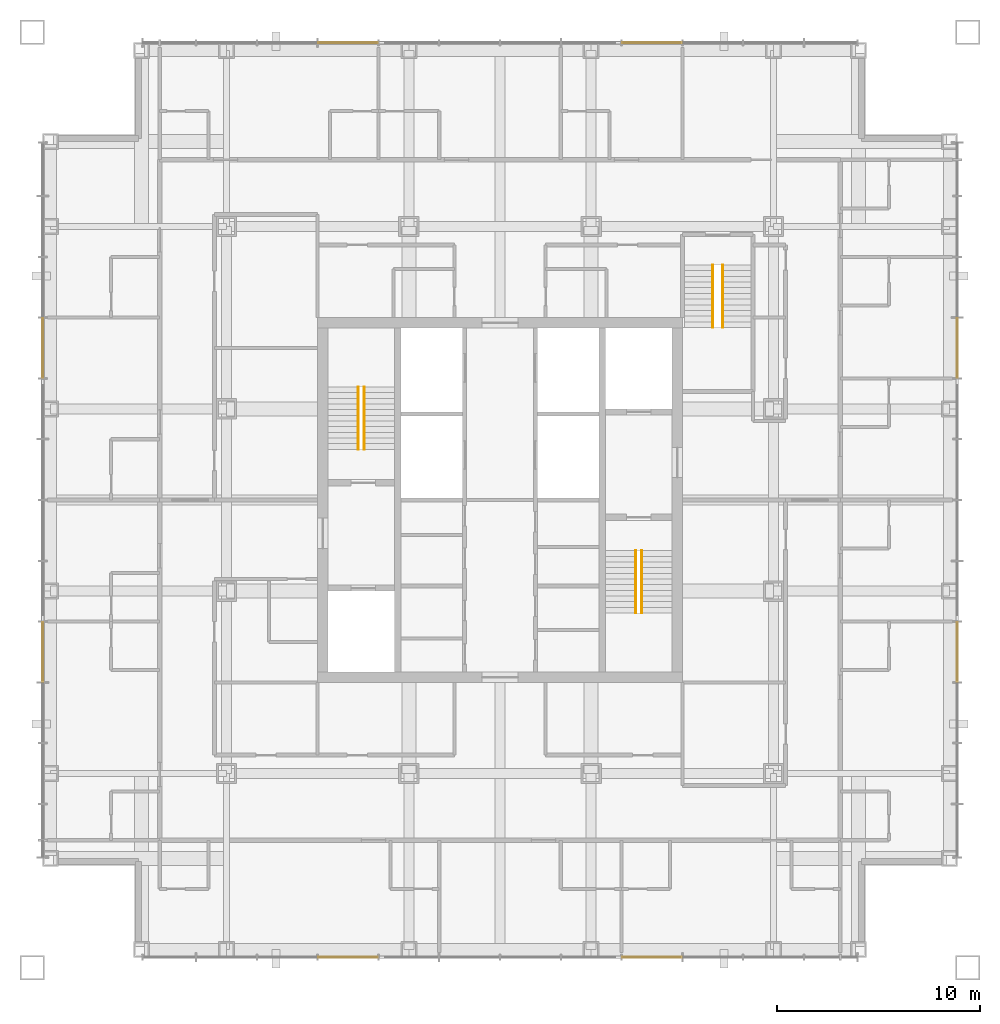
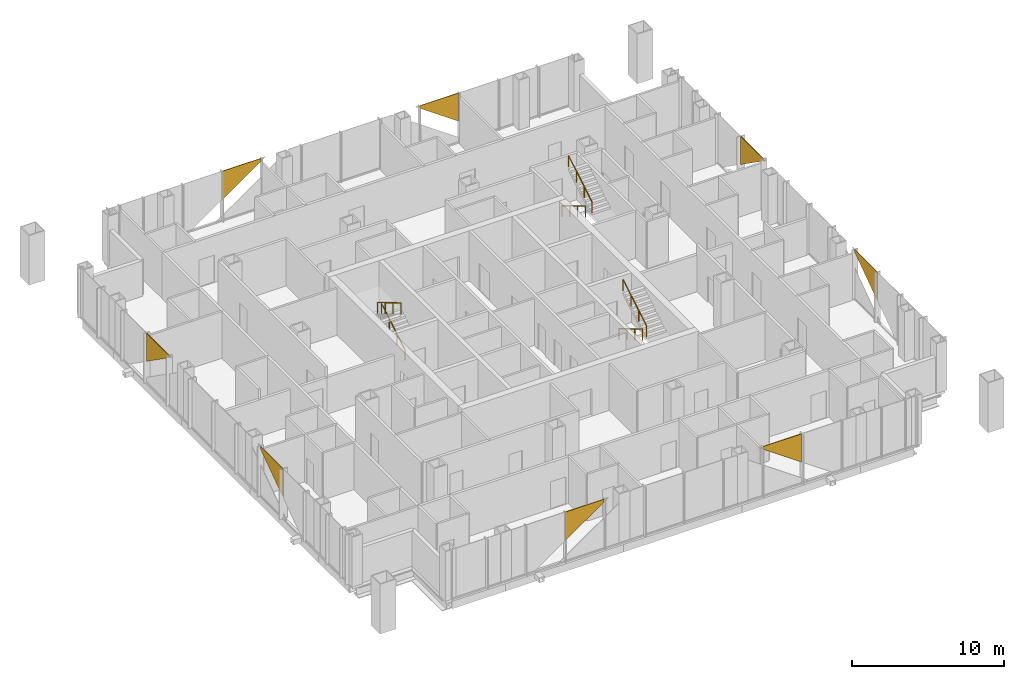
# One storey, part 12 of 17: 8 coverings, 6 railings.
"""IFC4 building model written with IfcOpenShell, lengths in metres."""

from ifc_helpers import new_model, si_unit, direction, frame, origin, origin_2d, place, context, subcontext, project, spatial, polyline, circle, outline, extrude, material, layer, layer_set, type_object, element, save


model = new_model("IFC4")

# Units and contexts
model_context = context("Model", 3, precision=1e-05, world=origin(), true_north=direction((0.0, 1.0)))
body_context = subcontext(model_context, "Body", "Model", "MODEL_VIEW")
ifc_project = project(units=[si_unit("LENGTHUNIT", "METRE"), si_unit("AREAUNIT", "SQUARE_METRE"), si_unit("VOLUMEUNIT", "CUBIC_METRE"), si_unit("PLANEANGLEUNIT", "RADIAN"), si_unit("MASSUNIT", "GRAM", prefix="KILO")], contexts=[model_context])

# Site, building, storey
site_placement = place(None, origin())
site = spatial("IfcSite", under=ifc_project, at=site_placement, CompositionType="ELEMENT")
building_placement = place(site_placement, origin())
building = spatial("IfcBuilding", under=site, at=building_placement, Name="Malebo Sky Hospital", CompositionType="ELEMENT")
storey_placement = place(building_placement, frame((0.0, 0.0, 185.0)))
storey = spatial("IfcBuildingStorey", under=building, at=storey_placement, Name="L44", CompositionType="ELEMENT", Elevation=185.0)

# Coverings
ifc_material_1 = material(Name="Anodised aluminium, natural silver insulated infill panel", Category="aluminium")
ifc_layer = layer(ifc_material_1, 0.0400390625)
ifc_layer_set = layer_set([ifc_layer], Name="BRACE INFILL PANEL 40")
covering_type = type_object("IfcCoveringType", Name="BRACE INFILL PANEL 40", PredefinedType="CLADDING", material=ifc_layer_set)
covering_1_placement = place(storey_placement, frame((52.5, 84.574951171875, 1.72216796875), z_axis=(0.0, 0.0, 1.0), x_axis=(1.0, 0.0, 0.0)))
element("IfcCovering", 1, at=covering_1_placement, inside=storey, type_object=covering_type, Name="Brace infill panel 5.1", PredefinedType="CLADDING", context=body_context, shape_type="SweptSolid", body=[
    extrude(outline(polyline([(-1.46240234375, 0.0), (1.46240234375, 2.054443359375), (1.46240234375, 2.267822265625), (-1.46240234375, 2.267822265625), (-1.46240234375, 0.0)])), frame((0.0, 0.02001953125, 0.0), z_axis=(0.0, -1.0, 0.0), x_axis=(1.0, 0.0, 0.0)), (0.0, 0.0, 1.0), 0.0400390625),
])
covering_2_placement = place(storey_placement, frame((67.5, 84.574951171875, 1.72216796875), z_axis=(0.0, 0.0, 1.0), x_axis=(1.0, 0.0, 0.0)))
element("IfcCovering", 2, at=covering_2_placement, inside=storey, type_object=covering_type, Name="Brace infill panel 10.1", PredefinedType="CLADDING", context=body_context, shape_type="SweptSolid", body=[
    extrude(outline(polyline([(1.46240234375, 0.0), (1.46240234375, 2.267822265625), (-1.46240234375, 2.267822265625), (-1.46240234375, 2.054443359375), (1.46240234375, 0.0)])), frame((0.0, 0.02001953125, 0.0), z_axis=(0.0, -1.0, 0.0), x_axis=(1.0, 0.0, 0.0)), (0.0, 0.0, 1.0), 0.0400390625),
])
covering_3_placement = place(storey_placement, frame((37.425048828125, 54.5, 1.72216796875), z_axis=(0.0, 0.0, 1.0), x_axis=(0.0, 1.0, 0.0)))
element("IfcCovering", 3, at=covering_3_placement, inside=storey, type_object=covering_type, Name="Brace infill panel 5.1", PredefinedType="CLADDING", context=body_context, shape_type="SweptSolid", body=[
    extrude(outline(polyline([(-1.46240234375, 0.0), (1.46240234375, 2.054443359375), (1.46240234375, 2.267822265625), (-1.46240234375, 2.267822265625), (-1.46240234375, 0.0)])), frame((0.0, 0.02001953125, 0.0), z_axis=(0.0, -1.0, 0.0), x_axis=(1.0, 0.0, 0.0)), (0.0, 0.0, 1.0), 0.0400390625),
])
covering_4_placement = place(storey_placement, frame((37.425048828125, 69.5, 1.72216796875), z_axis=(0.0, 0.0, 1.0), x_axis=(0.0, 1.0, 0.0)))
element("IfcCovering", 4, at=covering_4_placement, inside=storey, type_object=covering_type, Name="Brace infill panel 10.1", PredefinedType="CLADDING", context=body_context, shape_type="SweptSolid", body=[
    extrude(outline(polyline([(1.46240234375, 0.0), (1.46240234375, 2.267822265625), (-1.46240234375, 2.267822265625), (-1.46240234375, 2.054443359375), (1.46240234375, 0.0)])), frame((0.0, 0.02001953125, 0.0), z_axis=(0.0, -1.0, 0.0), x_axis=(1.0, 0.0, 0.0)), (0.0, 0.0, 1.0), 0.0400390625),
])
covering_5_placement = place(storey_placement, frame((67.5, 39.425048828125, 1.72216796875), z_axis=(0.0, 0.0, 1.0), x_axis=(-1.0, 0.0, 0.0)))
element("IfcCovering", 5, at=covering_5_placement, inside=storey, type_object=covering_type, Name="Brace infill panel 5.1", PredefinedType="CLADDING", context=body_context, shape_type="SweptSolid", body=[
    extrude(outline(polyline([(-1.46240234375, 0.0), (1.46240234375, 2.054443359375), (1.46240234375, 2.267822265625), (-1.46240234375, 2.267822265625), (-1.46240234375, 0.0)])), frame((0.0, 0.02001953125, 0.0), z_axis=(0.0, -1.0, 0.0), x_axis=(1.0, 0.0, 0.0)), (0.0, 0.0, 1.0), 0.0400390625),
])
covering_6_placement = place(storey_placement, frame((52.5, 39.425048828125, 1.72216796875), z_axis=(0.0, 0.0, 1.0), x_axis=(-1.0, 0.0, 0.0)))
element("IfcCovering", 6, at=covering_6_placement, inside=storey, type_object=covering_type, Name="Brace infill panel 10.1", PredefinedType="CLADDING", context=body_context, shape_type="SweptSolid", body=[
    extrude(outline(polyline([(1.46240234375, 0.0), (1.46240234375, 2.267822265625), (-1.46240234375, 2.267822265625), (-1.46240234375, 2.054443359375), (1.46240234375, 0.0)])), frame((0.0, 0.02001953125, 0.0), z_axis=(0.0, -1.0, 0.0), x_axis=(1.0, 0.0, 0.0)), (0.0, 0.0, 1.0), 0.0400390625),
])
covering_7_placement = place(storey_placement, frame((82.574951171875, 69.5, 1.72216796875), z_axis=(0.0, 0.0, 1.0), x_axis=(0.0, -1.0, 0.0)))
element("IfcCovering", 7, at=covering_7_placement, inside=storey, type_object=covering_type, Name="Brace infill panel 5.1", PredefinedType="CLADDING", context=body_context, shape_type="SweptSolid", body=[
    extrude(outline(polyline([(-1.46240234375, 0.0), (1.46240234375, 2.054443359375), (1.46240234375, 2.267822265625), (-1.46240234375, 2.267822265625), (-1.46240234375, 0.0)])), frame((0.0, 0.02001953125, 0.0), z_axis=(0.0, -1.0, 0.0), x_axis=(1.0, 0.0, 0.0)), (0.0, 0.0, 1.0), 0.0400390625),
])
covering_8_placement = place(storey_placement, frame((82.574951171875, 54.5, 1.72216796875), z_axis=(0.0, 0.0, 1.0), x_axis=(0.0, -1.0, 0.0)))
element("IfcCovering", 8, at=covering_8_placement, inside=storey, type_object=covering_type, Name="Brace infill panel 10.1", PredefinedType="CLADDING", context=body_context, shape_type="SweptSolid", body=[
    extrude(outline(polyline([(1.46240234375, 0.0), (1.46240234375, 2.267822265625), (-1.46240234375, 2.267822265625), (-1.46240234375, 2.054443359375), (1.46240234375, 0.0)])), frame((0.0, 0.02001953125, 0.0), z_axis=(0.0, -1.0, 0.0), x_axis=(1.0, 0.0, 0.0)), (0.0, 0.0, 1.0), 0.0400390625),
])

# Railings
ifc_material_2 = material(Name="Stainless steel tube", Category="steel")
railing_type = type_object("IfcRailingType", Name="STAIR HANDRAIL 900", PredefinedType="HANDRAIL", material=ifc_material_2)
railing_1_placement = place(storey_placement, frame((53.300048828125, 64.5, 0.166748046875)))
element("IfcRailing", 9, at=railing_1_placement, inside=storey, type_object=railing_type, Name="Stair handrail S1 flight 1", PredefinedType="HANDRAIL", context=body_context, shape_type="SweptSolid", body=[
    extrude(circle(Radius=0.02392578125, at=origin_2d()), frame((0.0, 0.0, 0.8759765625), z_axis=(0.0, 0.859308565015, 0.511457515432), x_axis=(-1.0, 0.0, 0.0)), (0.0, 0.0, 1.0), 3.58447265625),
    extrude(circle(Radius=0.02099609375, at=origin_2d()), origin(), (0.0, 0.0, 1.0), 0.851806640625),
    extrude(circle(Radius=0.02099609375, at=origin_2d()), frame((0.0, 1.026611328125, 0.611083984375)), (0.0, 0.0, 1.0), 0.851806640625),
    extrude(circle(Radius=0.02099609375, at=origin_2d()), frame((0.0, 2.053466796875, 1.22216796875)), (0.0, 0.0, 1.0), 0.851806640625),
    extrude(circle(Radius=0.02099609375, at=origin_2d()), frame((0.0, 3.080078125, 1.833251953125)), (0.0, 0.0, 1.0), 0.851806640625),
])
for number, where, name in (
    (10, (53.0, 67.580078125, 2.166748046875), "Stair handrail S1 flight 2"),
    (11, (66.699951171875, 59.5, 0.166748046875), "Stair handrail S2 flight 1"),
):
    element("IfcRailing", number, at=place(storey_placement, frame(where)), inside=storey, type_object=railing_type, Name=name, PredefinedType="HANDRAIL", context=body_context, shape_type="SweptSolid", body=[
        extrude(circle(Radius=0.02392578125, at=origin_2d()), frame((0.0, 0.0, 0.8759765625), z_axis=(0.0, -0.859308565015, 0.511457515432), x_axis=(1.0, 0.0, 0.0)), (0.0, 0.0, 1.0), 3.58447265625),
        extrude(circle(Radius=0.02099609375, at=origin_2d()), origin(), (0.0, 0.0, 1.0), 0.851806640625),
        extrude(circle(Radius=0.02099609375, at=origin_2d()), frame((0.0, -1.026611328125, 0.611083984375)), (0.0, 0.0, 1.0), 0.851806640625),
        extrude(circle(Radius=0.02099609375, at=origin_2d()), frame((0.0, -2.053466796875, 1.22216796875)), (0.0, 0.0, 1.0), 0.851806640625),
        extrude(circle(Radius=0.02099609375, at=origin_2d()), frame((0.0, -3.080078125, 1.833251953125)), (0.0, 0.0, 1.0), 0.851806640625),
    ])
railing_2_placement = place(storey_placement, frame((67.0, 56.419921875, 2.166748046875)))
element("IfcRailing", 12, at=railing_2_placement, inside=storey, type_object=railing_type, Name="Stair handrail S2 flight 2", PredefinedType="HANDRAIL", context=body_context, shape_type="SweptSolid", body=[
    extrude(circle(Radius=0.02392578125, at=origin_2d()), frame((0.0, 0.0, 0.8759765625), z_axis=(0.0, 0.859308565015, 0.511457515432), x_axis=(-1.0, 0.0, 0.0)), (0.0, 0.0, 1.0), 3.58447265625),
    extrude(circle(Radius=0.02099609375, at=origin_2d()), origin(), (0.0, 0.0, 1.0), 0.851806640625),
    extrude(circle(Radius=0.02099609375, at=origin_2d()), frame((0.0, 1.026611328125, 0.611083984375)), (0.0, 0.0, 1.0), 0.851806640625),
    extrude(circle(Radius=0.02099609375, at=origin_2d()), frame((0.0, 2.053466796875, 1.22216796875)), (0.0, 0.0, 1.0), 0.851806640625),
    extrude(circle(Radius=0.02099609375, at=origin_2d()), frame((0.0, 3.080078125, 1.833251953125)), (0.0, 0.0, 1.0), 0.851806640625),
])
railing_3_placement = place(storey_placement, frame((70.5, 73.60009765625, 0.166748046875)))
element("IfcRailing", 13, at=railing_3_placement, inside=storey, type_object=railing_type, Name="Stair handrail S3 flight 1", PredefinedType="HANDRAIL", context=body_context, shape_type="SweptSolid", body=[
    extrude(circle(Radius=0.02392578125, at=origin_2d()), frame((0.0, 0.0, 0.8759765625), z_axis=(0.0, -0.859308565015, 0.511457515432), x_axis=(1.0, 0.0, 0.0)), (0.0, 0.0, 1.0), 3.58447265625),
    extrude(circle(Radius=0.02099609375, at=origin_2d()), origin(), (0.0, 0.0, 1.0), 0.851806640625),
    extrude(circle(Radius=0.02099609375, at=origin_2d()), frame((0.0, -1.026611328125, 0.611083984375)), (0.0, 0.0, 1.0), 0.851806640625),
    extrude(circle(Radius=0.02099609375, at=origin_2d()), frame((0.0, -2.053466796875, 1.22216796875)), (0.0, 0.0, 1.0), 0.851806640625),
    extrude(circle(Radius=0.02099609375, at=origin_2d()), frame((0.0, -3.080078125, 1.833251953125)), (0.0, 0.0, 1.0), 0.851806640625),
])
railing_4_placement = place(storey_placement, frame((71.0, 70.52001953125, 2.166748046875)))
element("IfcRailing", 14, at=railing_4_placement, inside=storey, type_object=railing_type, Name="Stair handrail S3 flight 2", PredefinedType="HANDRAIL", context=body_context, shape_type="SweptSolid", body=[
    extrude(circle(Radius=0.02392578125, at=origin_2d()), frame((0.0, 0.0, 0.8759765625), z_axis=(0.0, 0.859308565015, 0.511457515432), x_axis=(-1.0, 0.0, 0.0)), (0.0, 0.0, 1.0), 3.58447265625),
    extrude(circle(Radius=0.02099609375, at=origin_2d()), origin(), (0.0, 0.0, 1.0), 0.851806640625),
    extrude(circle(Radius=0.02099609375, at=origin_2d()), frame((0.0, 1.026611328125, 0.611083984375)), (0.0, 0.0, 1.0), 0.851806640625),
    extrude(circle(Radius=0.02099609375, at=origin_2d()), frame((0.0, 2.053466796875, 1.22216796875)), (0.0, 0.0, 1.0), 0.851806640625),
    extrude(circle(Radius=0.02099609375, at=origin_2d()), frame((0.0, 3.080078125, 1.833251953125)), (0.0, 0.0, 1.0), 0.851806640625),
])

save(model, "model.ifc")
